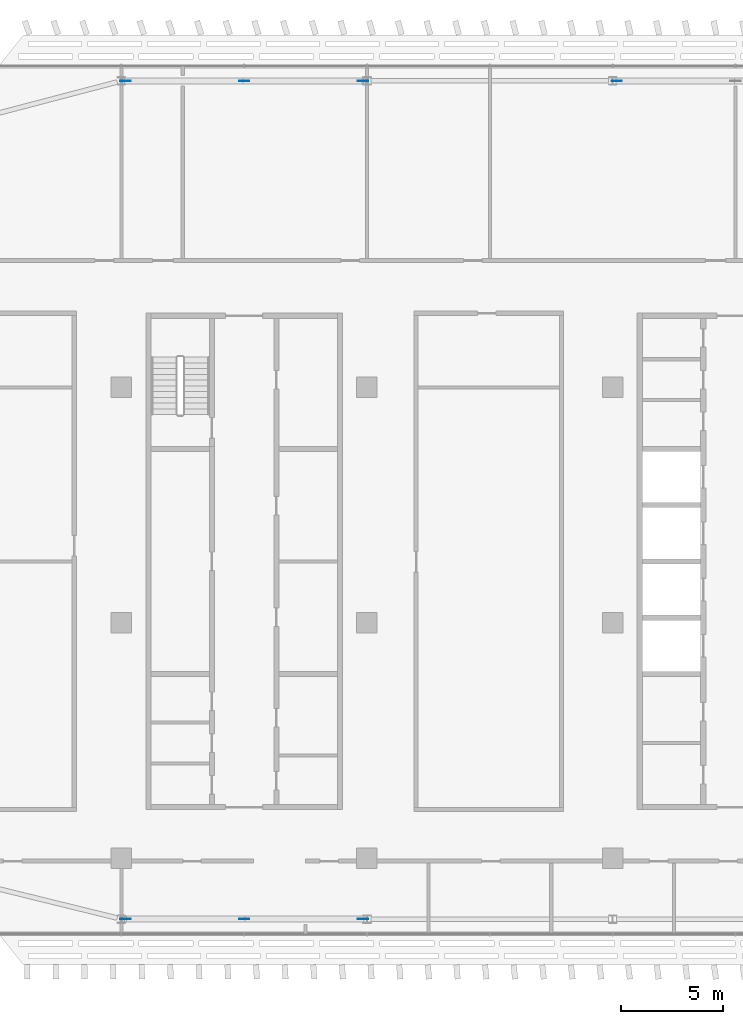
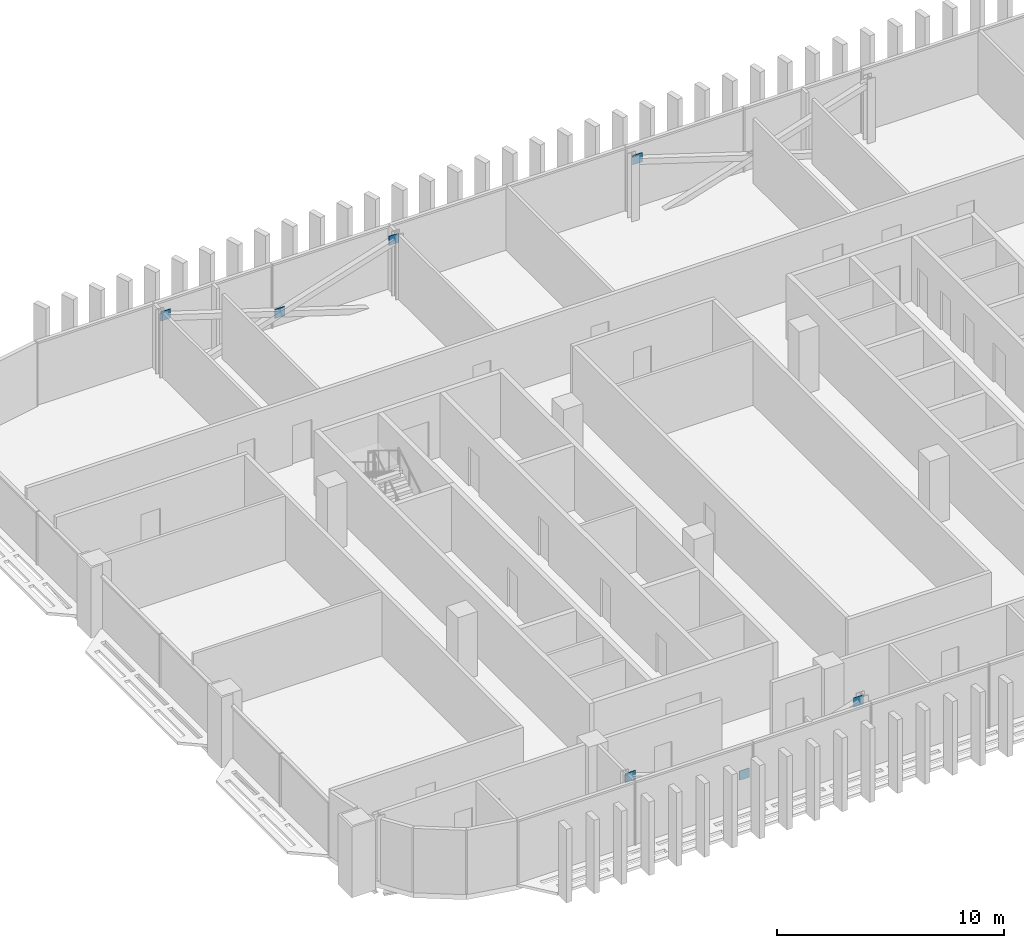
# One storey, part 24 of 34: 7 discrete accessories.
"""IFC4 building model written with IfcOpenShell, lengths in metres."""

import ifcopenshell
import ifcopenshell.guid

model = None  # the IFC model being written
_history = None  # IfcOwnerHistory: only IFC2X3 demands one
_inside = {}  # id of a spatial element -> (the spatial element, [elements in it])
_under = {}  # id of a project, library or spatial element -> (it, [spatial elements below it])
_declared = {}  # id of a project -> (the project, [libraries it declares])
_typed = {}  # id of a type object -> (the type object, [elements of that type])
_made_of = {}  # id of a material, layer set ... -> (it, [elements and type objects made of it])


def new_model(schema):
    """Start an empty IFC model of exactly this schema.

    Asked for "IFC4X3", IfcOpenShell would pick the latest addendum, in which some entities
    have other attributes; the version numbers below select the first issue.
    IFC2X3 requires an IfcOwnerHistory on every rooted entity: one is made here for all.
    """
    global model, _history
    if schema == "IFC4X3":
        model = ifcopenshell.file(schema_version=(4, 3, 0, 0))
    else:
        model = ifcopenshell.file(schema=schema)
    _inside.clear()
    _under.clear()
    _declared.clear()
    _typed.clear()
    _made_of.clear()
    _history = None
    if model.schema == "IFC2X3":
        org = make("IfcOrganization", Name="unknown")
        user = make(
            "IfcPersonAndOrganization",
            ThePerson=make("IfcPerson", FamilyName="unknown"),
            TheOrganization=org,
        )
        app = make(
            "IfcApplication",
            ApplicationDeveloper=org,
            Version="unknown",
            ApplicationFullName="unknown",
            ApplicationIdentifier="unknown",
        )
        _history = make(
            "IfcOwnerHistory",
            OwningUser=user,
            OwningApplication=app,
            ChangeAction="ADDED",
            CreationDate=0,
        )
    return model


def make(cls, **values):
    """One entity of the class cls with the attributes given. An attribute that is None is left unset."""
    return model.create_entity(
        cls, **{name: value for name, value in values.items() if value is not None}
    )


def rooted(cls, **values):
    """An entity with a GlobalId (a new one), such as an element, a storey or a relation."""
    return make(cls, GlobalId=ifcopenshell.guid.new(), OwnerHistory=_history, **values)


def si_unit(unit_type, name, prefix=None):
    """IfcSIUnit, for example si_unit("LENGTHUNIT", "METRE", prefix="MILLI")."""
    return make("IfcSIUnit", UnitType=unit_type, Prefix=prefix, Name=name)


def assignment(units):
    """IfcUnitAssignment: the units of a project."""
    return None if units is None else make("IfcUnitAssignment", Units=units)


def point(xyz):
    """IfcCartesianPoint."""
    return None if xyz is None else make("IfcCartesianPoint", Coordinates=xyz)


def direction(xyz):
    """IfcDirection."""
    return None if xyz is None else make("IfcDirection", DirectionRatios=xyz)


def frame(location, z_axis=None, x_axis=None):
    """IfcAxis2Placement3D, a coordinate frame: its origin and axes. An axis left out is left unset."""
    return make(
        "IfcAxis2Placement3D",
        Location=point(location),
        Axis=direction(z_axis),
        RefDirection=direction(x_axis),
    )


def frame_2d(location, x_axis=None):
    """IfcAxis2Placement2D, a coordinate frame in the plane: its origin and x axis."""
    return make(
        "IfcAxis2Placement2D", Location=point(location), RefDirection=direction(x_axis)
    )


def origin():
    """The frame at (0, 0, 0) with its axes left unset."""
    return frame((0.0, 0.0, 0.0))


def origin_2d():
    """The frame at (0, 0) in the plane with its x axis left unset."""
    return frame_2d((0.0, 0.0))


def place(relative_to, where):
    """IfcLocalPlacement: puts the frame where relative to a parent placement (None: the world)."""
    return make(
        "IfcLocalPlacement", PlacementRelTo=relative_to, RelativePlacement=where
    )


def context(
    kind, dimensions, precision=None, world=None, true_north=None, identifier=None
):
    """IfcGeometricRepresentationContext, for example the 3D "Model" context."""
    return make(
        "IfcGeometricRepresentationContext",
        ContextIdentifier=identifier,
        ContextType=kind,
        CoordinateSpaceDimension=dimensions,
        Precision=precision,
        WorldCoordinateSystem=world,
        TrueNorth=true_north,
    )


def subcontext(parent, identifier, kind, view, scale=None):
    """IfcGeometricRepresentationSubContext, for example "Body" below "Model"."""
    return make(
        "IfcGeometricRepresentationSubContext",
        ContextIdentifier=identifier,
        ContextType=kind,
        ParentContext=parent,
        TargetScale=scale,
        TargetView=view,
    )


def project(units=None, contexts=None):
    """IfcProject with its units and contexts."""
    return rooted(
        "IfcProject",
        Name="project",
        RepresentationContexts=contexts,
        UnitsInContext=assignment(units),
    )


def spatial(cls, under=None, at=None, **own):
    """A site, building, storey or space (cls), placed at a placement, below another one or the project."""
    s = rooted(cls, ObjectPlacement=at, **own)
    if under is not None:
        _under.setdefault(under.id(), (under, []))[1].append(s)
    return s


def profile(cls, at=None, kind="AREA", **sizes):
    """A parametric profile (cls). Its sizes go by their IFC names, for example OverallWidth=200.0."""
    return make(cls, ProfileType=kind, Position=at, **sizes)


def rectangle(**sizes):
    """IfcRectangleProfileDef."""
    return profile("IfcRectangleProfileDef", **sizes)


def extrude(swept, where, along, depth):
    """IfcExtrudedAreaSolid: the profile swept, set in the frame where, extruded along a direction by depth."""
    return make(
        "IfcExtrudedAreaSolid",
        SweptArea=swept,
        Position=where,
        ExtrudedDirection=direction(along),
        Depth=depth,
    )


def shape(context_of_items, identifier, shape_type, items):
    """IfcShapeRepresentation: the items that make up one representation, for example the "Body"."""
    return make(
        "IfcShapeRepresentation",
        ContextOfItems=context_of_items,
        RepresentationIdentifier=identifier,
        RepresentationType=shape_type,
        Items=items,
    )


def material(Name=None, Category=None):
    """IfcMaterial."""
    return make("IfcMaterial", Name=Name, Category=Category)


def layer(
    of_material, thickness, ventilated=None, Name=None, Category=None, Priority=None
):
    """IfcMaterialLayer: one layer of a wall or slab, of a material (None: an air gap)."""
    return make(
        "IfcMaterialLayer",
        Material=of_material,
        LayerThickness=thickness,
        IsVentilated=ventilated,
        Name=Name,
        Category=Category,
        Priority=Priority,
    )


def layer_set(layers, Name=None):
    """IfcMaterialLayerSet."""
    return make("IfcMaterialLayerSet", MaterialLayers=layers, LayerSetName=Name)


def made_of(thing, what):
    """Note that an element or type object is made of a material, layer set ...; save() writes the relation."""
    if what is not None:
        _made_of.setdefault(what.id(), (what, []))[1].append(thing)
    return thing


def type_object(cls, material=None, **own):
    """A type object (cls), such as IfcWallType, which elements share."""
    return made_of(rooted(cls, **own), material)


def element(
    cls,
    number,
    at=None,
    inside=None,
    cuts=None,
    type_object=None,
    material=None,
    context=None,
    identifier="Body",
    shape_type=None,
    held_by="IfcProductDefinitionShape",
    body=None,
    shapes=None,
    **own,
):
    """One element of the class cls, such as IfcWall. Its Tag is "e" and its number.

    at: its placement. inside: the storey or other place that contains it. cuts: it is an
    opening in that element (IfcRelVoidsElement). A single representation is given by context,
    identifier, shape_type and body (its items); several are given by shapes. held_by: the class
    of the entity that holds the representations. save() writes the other relations.
    """
    e = rooted(cls, Tag="e%d" % number, ObjectPlacement=at, **own)
    if body is not None:
        shapes = [shape(context, identifier, shape_type, body)]
    if shapes is not None:
        e.Representation = make(held_by, Representations=shapes)
    if inside is not None:
        _inside.setdefault(inside.id(), (inside, []))[1].append(e)
    if cuts is not None:
        rooted(
            "IfcRelVoidsElement", RelatingBuildingElement=cuts, RelatedOpeningElement=e
        )
    if type_object is not None:
        _typed.setdefault(type_object.id(), (type_object, []))[1].append(e)
    return made_of(e, material)


def aggregate(whole, parts):
    """IfcRelAggregates: a whole, such as a stair, and the parts it consists of."""
    return rooted("IfcRelAggregates", RelatingObject=whole, RelatedObjects=parts)


def save(model, path):
    """Write the relations noted so far, then the file.

    IfcRelAggregates (storeys below a building ...), IfcRelContainedInSpatialStructure (elements
    in a storey), IfcRelDefinesByType, IfcRelAssociatesMaterial and IfcRelDeclares: one each for
    every whole, place, type object, material and project.
    """
    for whole, parts in _under.values():
        aggregate(whole, parts)
    for where, things in _inside.values():
        rooted(
            "IfcRelContainedInSpatialStructure",
            RelatedElements=things,
            RelatingStructure=where,
        )
    for kind, things in _typed.values():
        rooted("IfcRelDefinesByType", RelatedObjects=things, RelatingType=kind)
    for what, things in _made_of.values():
        rooted("IfcRelAssociatesMaterial", RelatedObjects=things, RelatingMaterial=what)
    for by, libraries in _declared.values():
        rooted("IfcRelDeclares", RelatingContext=by, RelatedDefinitions=libraries)
    model.write(path)


model = new_model("IFC4")

# Units and contexts
model_context = context("Model", 3, precision=1e-05, world=origin(), true_north=direction((0.0, 1.0)))
body_context = subcontext(model_context, "Body", "Model", "MODEL_VIEW")
ifc_project = project(units=[si_unit("LENGTHUNIT", "METRE"), si_unit("AREAUNIT", "SQUARE_METRE"), si_unit("VOLUMEUNIT", "CUBIC_METRE"), si_unit("PLANEANGLEUNIT", "RADIAN"), si_unit("MASSUNIT", "GRAM", prefix="KILO")], contexts=[model_context])

# Site, building, storey
site_placement = place(None, origin())
site = spatial("IfcSite", under=ifc_project, at=site_placement, CompositionType="ELEMENT")
building_placement = place(site_placement, origin())
building = spatial("IfcBuilding", under=site, at=building_placement, Name="Mahtab Terrace Research Tower", CompositionType="ELEMENT")
storey_placement = place(building_placement, frame((0.0, 0.0, 247.60009765625)))
storey = spatial("IfcBuildingStorey", under=building, at=storey_placement, Name="L60", CompositionType="ELEMENT", Elevation=247.60009765625)

# Discrete accessories
ifc_material = material(Name="Steel ASTM A992 Gr 50", Category="steel")
ifc_layer = layer(ifc_material, 0.030029296875)
ifc_layer_set = layer_set([ifc_layer], Name="Gusset plate 500x500x30")
discrete_accessory_type = type_object("IfcDiscreteAccessoryType", Name="Gusset plate 500x500x30", PredefinedType="USERDEFINED", material=ifc_layer_set)
for number, where, z_axis, x_axis, name in (
    (1, (-29.800537109375, -14.472900390625, 2.906494140625), (0.0, 0.0, 1.0), (1.0, 0.0, 0.0), "Gusset plate"),
    (2, (-29.800537109375, 26.472900390625, 2.906494140625), (0.0, 0.0, 1.0), (1.0, 0.0, 0.0), "Gusset plate"),
    (3, (-24.0, -14.472900390625, 1.00634765625), (0.0, 0.0, 1.0), (1.0, 0.0, 0.0), "Gusset plate"),
    (4, (-24.0, 26.472900390625, 1.00634765625), (0.0, 0.0, 1.0), (1.0, 0.0, 0.0), "Gusset plate"),
    (5, (-18.199462890625, -14.472900390625, 2.906494140625), (0.0, 0.0, 1.0), (1.0, 0.0, 0.0), "Gusset plate"),
    (6, (-18.199462890625, 26.472900390625, 2.906494140625), (0.0, 0.0, 1.0), (1.0, 0.0, 0.0), "Gusset plate"),
    (7, (-5.800537109375, 26.472900390625, 2.906494140625), (0.0, 0.0, 1.0), (1.0, 0.0, 0.0), "Gusset plate"),
):
    element("IfcDiscreteAccessory", number, at=place(storey_placement, frame(where, z_axis=z_axis, x_axis=x_axis)), inside=storey, type_object=discrete_accessory_type, Name=name, ObjectType="GUSSET PLATE", PredefinedType="USERDEFINED", context=body_context, shape_type="SweptSolid", body=[
        extrude(rectangle(XDim=0.5, YDim=0.030029296875, at=origin_2d()), origin(), (0.0, 0.0, 1.0), 0.5),
    ])

save(model, "model.ifc")
